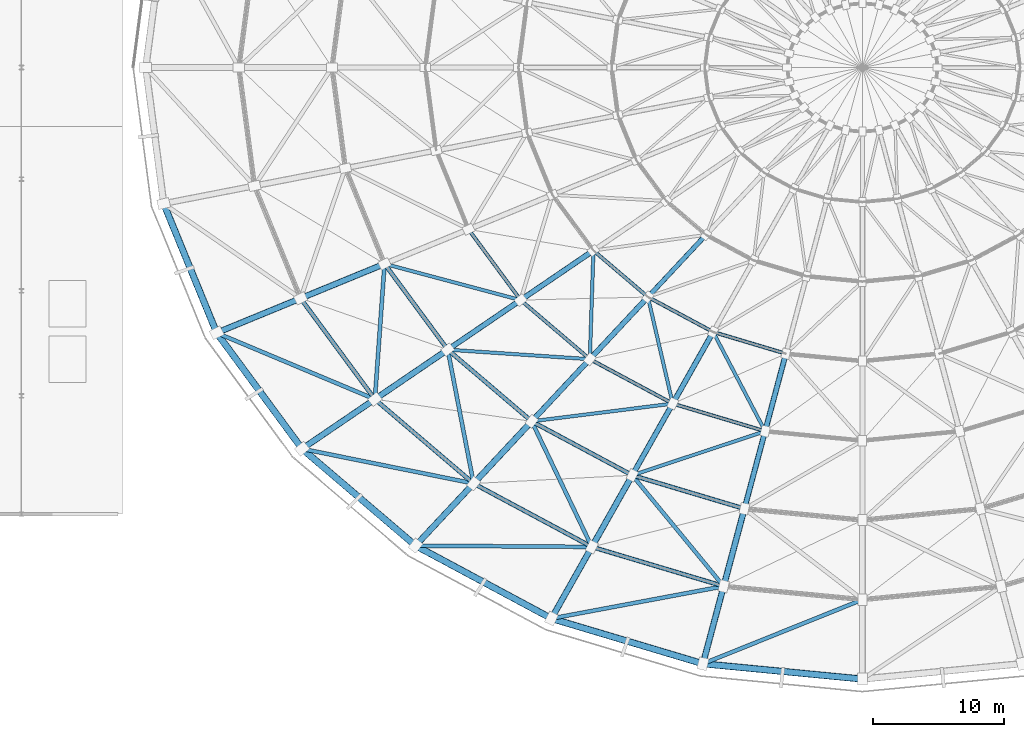
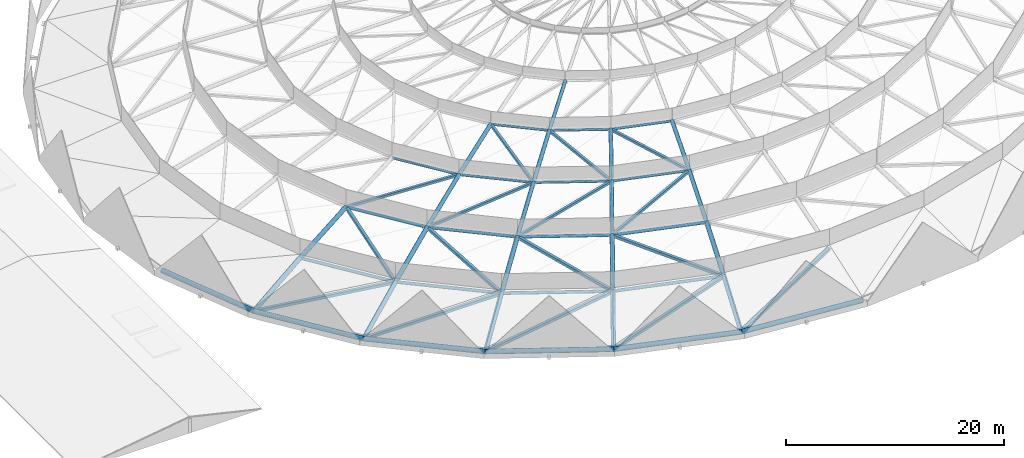
# One storey, part 5 of 27: 50 members, 6 beams.
"""IFC4 building model written with IfcOpenShell, lengths in metres."""

import ifcopenshell
import ifcopenshell.guid

model = None  # the IFC model being written
_history = None  # IfcOwnerHistory: only IFC2X3 demands one
_inside = {}  # id of a spatial element -> (the spatial element, [elements in it])
_under = {}  # id of a project, library or spatial element -> (it, [spatial elements below it])
_declared = {}  # id of a project -> (the project, [libraries it declares])
_typed = {}  # id of a type object -> (the type object, [elements of that type])
_made_of = {}  # id of a material, layer set ... -> (it, [elements and type objects made of it])


def new_model(schema):
    """Start an empty IFC model of exactly this schema.

    Asked for "IFC4X3", IfcOpenShell would pick the latest addendum, in which some entities
    have other attributes; the version numbers below select the first issue.
    IFC2X3 requires an IfcOwnerHistory on every rooted entity: one is made here for all.
    """
    global model, _history
    if schema == "IFC4X3":
        model = ifcopenshell.file(schema_version=(4, 3, 0, 0))
    else:
        model = ifcopenshell.file(schema=schema)
    _inside.clear()
    _under.clear()
    _declared.clear()
    _typed.clear()
    _made_of.clear()
    _history = None
    if model.schema == "IFC2X3":
        org = make("IfcOrganization", Name="unknown")
        user = make(
            "IfcPersonAndOrganization",
            ThePerson=make("IfcPerson", FamilyName="unknown"),
            TheOrganization=org,
        )
        app = make(
            "IfcApplication",
            ApplicationDeveloper=org,
            Version="unknown",
            ApplicationFullName="unknown",
            ApplicationIdentifier="unknown",
        )
        _history = make(
            "IfcOwnerHistory",
            OwningUser=user,
            OwningApplication=app,
            ChangeAction="ADDED",
            CreationDate=0,
        )
    return model


def make(cls, **values):
    """One entity of the class cls with the attributes given. An attribute that is None is left unset."""
    return model.create_entity(
        cls, **{name: value for name, value in values.items() if value is not None}
    )


def rooted(cls, **values):
    """An entity with a GlobalId (a new one), such as an element, a storey or a relation."""
    return make(cls, GlobalId=ifcopenshell.guid.new(), OwnerHistory=_history, **values)


def si_unit(unit_type, name, prefix=None):
    """IfcSIUnit, for example si_unit("LENGTHUNIT", "METRE", prefix="MILLI")."""
    return make("IfcSIUnit", UnitType=unit_type, Prefix=prefix, Name=name)


def assignment(units):
    """IfcUnitAssignment: the units of a project."""
    return None if units is None else make("IfcUnitAssignment", Units=units)


def point(xyz):
    """IfcCartesianPoint."""
    return None if xyz is None else make("IfcCartesianPoint", Coordinates=xyz)


def direction(xyz):
    """IfcDirection."""
    return None if xyz is None else make("IfcDirection", DirectionRatios=xyz)


def frame(location, z_axis=None, x_axis=None):
    """IfcAxis2Placement3D, a coordinate frame: its origin and axes. An axis left out is left unset."""
    return make(
        "IfcAxis2Placement3D",
        Location=point(location),
        Axis=direction(z_axis),
        RefDirection=direction(x_axis),
    )


def frame_2d(location, x_axis=None):
    """IfcAxis2Placement2D, a coordinate frame in the plane: its origin and x axis."""
    return make(
        "IfcAxis2Placement2D", Location=point(location), RefDirection=direction(x_axis)
    )


def origin():
    """The frame at (0, 0, 0) with its axes left unset."""
    return frame((0.0, 0.0, 0.0))


def origin_2d():
    """The frame at (0, 0) in the plane with its x axis left unset."""
    return frame_2d((0.0, 0.0))


def place(relative_to, where):
    """IfcLocalPlacement: puts the frame where relative to a parent placement (None: the world)."""
    return make(
        "IfcLocalPlacement", PlacementRelTo=relative_to, RelativePlacement=where
    )


def context(
    kind, dimensions, precision=None, world=None, true_north=None, identifier=None
):
    """IfcGeometricRepresentationContext, for example the 3D "Model" context."""
    return make(
        "IfcGeometricRepresentationContext",
        ContextIdentifier=identifier,
        ContextType=kind,
        CoordinateSpaceDimension=dimensions,
        Precision=precision,
        WorldCoordinateSystem=world,
        TrueNorth=true_north,
    )


def subcontext(parent, identifier, kind, view, scale=None):
    """IfcGeometricRepresentationSubContext, for example "Body" below "Model"."""
    return make(
        "IfcGeometricRepresentationSubContext",
        ContextIdentifier=identifier,
        ContextType=kind,
        ParentContext=parent,
        TargetScale=scale,
        TargetView=view,
    )


def project(units=None, contexts=None):
    """IfcProject with its units and contexts."""
    return rooted(
        "IfcProject",
        Name="project",
        RepresentationContexts=contexts,
        UnitsInContext=assignment(units),
    )


def spatial(cls, under=None, at=None, **own):
    """A site, building, storey or space (cls), placed at a placement, below another one or the project."""
    s = rooted(cls, ObjectPlacement=at, **own)
    if under is not None:
        _under.setdefault(under.id(), (under, []))[1].append(s)
    return s


def profile(cls, at=None, kind="AREA", **sizes):
    """A parametric profile (cls). Its sizes go by their IFC names, for example OverallWidth=200.0."""
    return make(cls, ProfileType=kind, Position=at, **sizes)


def hollow_rectangle(**sizes):
    """IfcRectangleHollowProfileDef."""
    return profile("IfcRectangleHollowProfileDef", **sizes)


def hollow_circle(**sizes):
    """IfcCircleHollowProfileDef."""
    return profile("IfcCircleHollowProfileDef", **sizes)


def extrude(swept, where, along, depth):
    """IfcExtrudedAreaSolid: the profile swept, set in the frame where, extruded along a direction by depth."""
    return make(
        "IfcExtrudedAreaSolid",
        SweptArea=swept,
        Position=where,
        ExtrudedDirection=direction(along),
        Depth=depth,
    )


def shape(context_of_items, identifier, shape_type, items):
    """IfcShapeRepresentation: the items that make up one representation, for example the "Body"."""
    return make(
        "IfcShapeRepresentation",
        ContextOfItems=context_of_items,
        RepresentationIdentifier=identifier,
        RepresentationType=shape_type,
        Items=items,
    )


def material(Name=None, Category=None):
    """IfcMaterial."""
    return make("IfcMaterial", Name=Name, Category=Category)


def material_profile(
    of_material, cross_section, Name=None, Category=None, Priority=None
):
    """IfcMaterialProfile: a cross section and its material."""
    return make(
        "IfcMaterialProfile",
        Name=Name,
        Material=of_material,
        Profile=cross_section,
        Priority=Priority,
        Category=Category,
    )


def profile_set(profiles, Name=None, composite=None):
    """IfcMaterialProfileSet."""
    return make(
        "IfcMaterialProfileSet",
        Name=Name,
        MaterialProfiles=profiles,
        CompositeProfile=composite,
    )


def made_of(thing, what):
    """Note that an element or type object is made of a material, layer set ...; save() writes the relation."""
    if what is not None:
        _made_of.setdefault(what.id(), (what, []))[1].append(thing)
    return thing


def type_object(cls, material=None, **own):
    """A type object (cls), such as IfcWallType, which elements share."""
    return made_of(rooted(cls, **own), material)


def element(
    cls,
    number,
    at=None,
    inside=None,
    cuts=None,
    type_object=None,
    material=None,
    context=None,
    identifier="Body",
    shape_type=None,
    held_by="IfcProductDefinitionShape",
    body=None,
    shapes=None,
    **own,
):
    """One element of the class cls, such as IfcWall. Its Tag is "e" and its number.

    at: its placement. inside: the storey or other place that contains it. cuts: it is an
    opening in that element (IfcRelVoidsElement). A single representation is given by context,
    identifier, shape_type and body (its items); several are given by shapes. held_by: the class
    of the entity that holds the representations. save() writes the other relations.
    """
    e = rooted(cls, Tag="e%d" % number, ObjectPlacement=at, **own)
    if body is not None:
        shapes = [shape(context, identifier, shape_type, body)]
    if shapes is not None:
        e.Representation = make(held_by, Representations=shapes)
    if inside is not None:
        _inside.setdefault(inside.id(), (inside, []))[1].append(e)
    if cuts is not None:
        rooted(
            "IfcRelVoidsElement", RelatingBuildingElement=cuts, RelatedOpeningElement=e
        )
    if type_object is not None:
        _typed.setdefault(type_object.id(), (type_object, []))[1].append(e)
    return made_of(e, material)


def aggregate(whole, parts):
    """IfcRelAggregates: a whole, such as a stair, and the parts it consists of."""
    return rooted("IfcRelAggregates", RelatingObject=whole, RelatedObjects=parts)


def save(model, path):
    """Write the relations noted so far, then the file.

    IfcRelAggregates (storeys below a building ...), IfcRelContainedInSpatialStructure (elements
    in a storey), IfcRelDefinesByType, IfcRelAssociatesMaterial and IfcRelDeclares: one each for
    every whole, place, type object, material and project.
    """
    for whole, parts in _under.values():
        aggregate(whole, parts)
    for where, things in _inside.values():
        rooted(
            "IfcRelContainedInSpatialStructure",
            RelatedElements=things,
            RelatingStructure=where,
        )
    for kind, things in _typed.values():
        rooted("IfcRelDefinesByType", RelatedObjects=things, RelatingType=kind)
    for what, things in _made_of.values():
        rooted("IfcRelAssociatesMaterial", RelatedObjects=things, RelatingMaterial=what)
    for by, libraries in _declared.values():
        rooted("IfcRelDeclares", RelatingContext=by, RelatedDefinitions=libraries)
    model.write(path)


model = new_model("IFC4")

# Units and contexts
model_context = context("Model", 3, precision=1e-05, world=origin(), true_north=direction((0.0, 1.0)))
body_context = subcontext(model_context, "Body", "Model", "MODEL_VIEW")
ifc_project = project(units=[si_unit("LENGTHUNIT", "METRE"), si_unit("AREAUNIT", "SQUARE_METRE"), si_unit("VOLUMEUNIT", "CUBIC_METRE"), si_unit("PLANEANGLEUNIT", "RADIAN"), si_unit("MASSUNIT", "GRAM", prefix="KILO")], contexts=[model_context])

# Site, building, storey
site_placement = place(None, origin())
site = spatial("IfcSite", under=ifc_project, at=site_placement, CompositionType="ELEMENT")
building_placement = place(site_placement, origin())
building = spatial("IfcBuilding", under=site, at=building_placement, Name="Cuetzalor Civic Arena", CompositionType="ELEMENT")
storey_placement = place(building_placement, frame((0.0, 0.0, 31.800048828125)))
storey = spatial("IfcBuildingStorey", under=building, at=storey_placement, Name="Roof", CompositionType="ELEMENT", Elevation=31.800048828125)

# Members
ifc_material_1 = material(Name="Steel S355J2H", Category="steel")
ifc_material_profile_1 = material_profile(ifc_material_1, hollow_circle(Radius=0.136474609375, WallThickness=0.010009765625, at=origin_2d()), Name="CHS 273x10")
ifc_profile_set_1 = profile_set([ifc_material_profile_1], Name="Steel S355J2H")
member_type_1 = type_object("IfcMemberType", Name="DomeAnnularChord_CHS273", PredefinedType="CHORD", material=ifc_profile_set_1)
member_1_placement = place(storey_placement, frame((-29.97900390625, -12.322021484375, 5.66650390625), z_axis=(0.592932287523, -0.805252322203, 0.0), x_axis=(0.805252322203, 0.592932287523, 0.0)))
element("IfcMember", 1, at=member_1_placement, inside=storey, type_object=member_type_1, Name="Dome Roof Truss Annular Ring Chord R3-S17", PredefinedType="CHORD", context=body_context, shape_type="SweptSolid", body=[
    extrude(hollow_circle(Radius=0.136474609375, WallThickness=0.010009765625, at=origin_2d()), origin(), (0.0, 0.0, 1.0), 6.681884765625),
])
member_2_placement = place(storey_placement, frame((-26.014404296875, -17.70556640625, 5.66650390625), z_axis=(0.760693610766, -0.649111108009, 0.0), x_axis=(0.649111108009, 0.760693610766, 0.0)))
element("IfcMember", 2, at=member_2_placement, inside=storey, type_object=member_type_1, Name="Dome Roof Truss Annular Ring Chord R3-S18", PredefinedType="CHORD", context=body_context, shape_type="SweptSolid", body=[
    extrude(hollow_circle(Radius=0.136474609375, WallThickness=0.010009765625, at=origin_2d()), origin(), (0.0, 0.0, 1.0), 6.9228515625),
])
member_3_placement = place(storey_placement, frame((-20.7451171875, -22.201416015625, 5.66650390625), z_axis=(0.881301350206, -0.472554684799, 0.0), x_axis=(0.472554684799, 0.881301350206, 0.0)))
element("IfcMember", 3, at=member_3_placement, inside=storey, type_object=member_type_1, Name="Dome Roof Truss Annular Ring Chord R3-S19", PredefinedType="CHORD", context=body_context, shape_type="SweptSolid", body=[
    extrude(hollow_circle(Radius=0.136474609375, WallThickness=0.010009765625, at=origin_2d()), origin(), (0.0, 0.0, 1.0), 7.155029296875),
])
member_4_placement = place(storey_placement, frame((-14.435791015625, -25.583984375, 5.66650390625), z_axis=(0.95818823999, -0.286138597091, 0.0), x_axis=(0.286138597091, 0.95818823999, 0.0)))
element("IfcMember", 4, at=member_4_placement, inside=storey, type_object=member_type_1, Name="Dome Roof Truss Annular Ring Chord R3-S20", PredefinedType="CHORD", context=body_context, shape_type="SweptSolid", body=[
    extrude(hollow_circle(Radius=0.136474609375, WallThickness=0.010009765625, at=origin_2d()), origin(), (0.0, 0.0, 1.0), 7.3359375),
])
member_5_placement = place(storey_placement, frame((-20.469970703125, -13.9326171875, 7.077392578125), z_axis=(0.760688120929, -0.649117541495, 0.0), x_axis=(0.649117541495, 0.760688120929, 0.0)))
element("IfcMember", 5, at=member_5_placement, inside=storey, type_object=member_type_1, Name="Dome Roof Truss Annular Ring Chord R4-S18", PredefinedType="CHORD", context=body_context, shape_type="SweptSolid", body=[
    extrude(hollow_circle(Radius=0.136474609375, WallThickness=0.010009765625, at=origin_2d()), origin(), (0.0, 0.0, 1.0), 5.446533203125),
])
member_6_placement = place(storey_placement, frame((-16.32373046875, -17.47021484375, 7.077392578125), z_axis=(0.881303896361, -0.47254993626, 0.0), x_axis=(0.47254993626, 0.881303896361, 0.0)))
element("IfcMember", 6, at=member_6_placement, inside=storey, type_object=member_type_1, Name="Dome Roof Truss Annular Ring Chord R4-S19", PredefinedType="CHORD", context=body_context, shape_type="SweptSolid", body=[
    extrude(hollow_circle(Radius=0.136474609375, WallThickness=0.010009765625, at=origin_2d()), origin(), (0.0, 0.0, 1.0), 5.62939453125),
])
member_7_placement = place(storey_placement, frame((-11.35888671875, -20.1318359375, 7.077392578125), z_axis=(0.958196861793, -0.286109723797, 0.0), x_axis=(0.286109723797, 0.958196861793, 0.0)))
element("IfcMember", 7, at=member_7_placement, inside=storey, type_object=member_type_1, Name="Dome Roof Truss Annular Ring Chord R4-S20", PredefinedType="CHORD", context=body_context, shape_type="SweptSolid", body=[
    extrude(hollow_circle(Radius=0.136474609375, WallThickness=0.010009765625, at=origin_2d()), origin(), (0.0, 0.0, 1.0), 5.771728515625),
])
ifc_material_2 = material(Name="Steel S355J2H", Category="steel")
ifc_material_profile_2 = material_profile(ifc_material_2, hollow_circle(Radius=0.161865234375, WallThickness=0.012451171875, at=origin_2d()), Name="CHS 323.9x12.5")
ifc_profile_set_2 = profile_set([ifc_material_profile_2], Name="Steel S355J2H")
member_type_2 = type_object("IfcMemberType", Name="DomeAnnularChord_CHS323", PredefinedType="CHORD", material=ifc_profile_set_2)
member_8_placement = place(storey_placement, frame((-42.75732421875, -17.5732421875, 2.11083984375), z_axis=(0.59292378617, -0.805258581943, 0.0), x_axis=(0.805258581943, 0.59292378617, 0.0)))
element("IfcMember", 8, at=member_8_placement, inside=storey, type_object=member_type_2, Name="Dome Roof Truss Annular Ring Chord R1-S17", PredefinedType="CHORD", context=body_context, shape_type="SweptSolid", body=[
    extrude(hollow_circle(Radius=0.161865234375, WallThickness=0.012451171875, at=origin_2d()), origin(), (0.0, 0.0, 1.0), 9.53173828125),
])
member_9_placement = place(storey_placement, frame((-37.10302734375, -25.251708984375, 2.11083984375), z_axis=(0.760691040158, -0.649114120493, 0.0), x_axis=(0.649114120493, 0.760691040158, 0.0)))
element("IfcMember", 9, at=member_9_placement, inside=storey, type_object=member_type_2, Name="Dome Roof Truss Annular Ring Chord R1-S18", PredefinedType="CHORD", context=body_context, shape_type="SweptSolid", body=[
    extrude(hollow_circle(Radius=0.161865234375, WallThickness=0.012451171875, at=origin_2d()), origin(), (0.0, 0.0, 1.0), 9.874755859375),
])
member_10_placement = place(storey_placement, frame((-29.588134765625, -31.663818359375, 2.11083984375), z_axis=(0.881293921097, -0.472568539619, 0.0), x_axis=(0.472568539619, 0.881293921097, 0.0)))
element("IfcMember", 10, at=member_10_placement, inside=storey, type_object=member_type_2, Name="Dome Roof Truss Annular Ring Chord R1-S19", PredefinedType="CHORD", context=body_context, shape_type="SweptSolid", body=[
    extrude(hollow_circle(Radius=0.161865234375, WallThickness=0.012451171875, at=origin_2d()), origin(), (0.0, 0.0, 1.0), 10.20654296875),
])
member_11_placement = place(storey_placement, frame((-20.589599609375, -36.488525390625, 2.11083984375), z_axis=(0.958199827791, -0.286099790319, 0.0), x_axis=(0.286099790319, 0.958199827791, 0.0)))
element("IfcMember", 11, at=member_11_placement, inside=storey, type_object=member_type_2, Name="Dome Roof Truss Annular Ring Chord R1-S20", PredefinedType="CHORD", context=body_context, shape_type="SweptSolid", body=[
    extrude(hollow_circle(Radius=0.161865234375, WallThickness=0.012451171875, at=origin_2d()), origin(), (0.0, 0.0, 1.0), 10.464599609375),
])
member_12_placement = place(storey_placement, frame((-36.3681640625, -14.947509765625, 4.004638671875), z_axis=(0.592922674984, -0.805259400125, 0.0), x_axis=(0.805259400125, 0.592922674984, 0.0)))
element("IfcMember", 12, at=member_12_placement, inside=storey, type_object=member_type_2, Name="Dome Roof Truss Annular Ring Chord R2-S17", PredefinedType="CHORD", context=body_context, shape_type="SweptSolid", body=[
    extrude(hollow_circle(Radius=0.161865234375, WallThickness=0.012451171875, at=origin_2d()), origin(), (0.0, 0.0, 1.0), 8.107177734375),
])
member_13_placement = place(storey_placement, frame((-31.55859375, -21.478759765625, 4.004638671875), z_axis=(0.760687028115, -0.649118822141, 0.0), x_axis=(0.649118822141, 0.760687028115, 0.0)))
element("IfcMember", 13, at=member_13_placement, inside=storey, type_object=member_type_2, Name="Dome Roof Truss Annular Ring Chord R2-S18", PredefinedType="CHORD", context=body_context, shape_type="SweptSolid", body=[
    extrude(hollow_circle(Radius=0.161865234375, WallThickness=0.012451171875, at=origin_2d()), origin(), (0.0, 0.0, 1.0), 8.3984375),
])
member_14_placement = place(storey_placement, frame((-25.16650390625, -26.9326171875, 4.004638671875), z_axis=(0.881287985767, -0.47257960826, 0.0), x_axis=(0.47257960826, 0.881287985767, 0.0)))
element("IfcMember", 14, at=member_14_placement, inside=storey, type_object=member_type_2, Name="Dome Roof Truss Annular Ring Chord R2-S19", PredefinedType="CHORD", context=body_context, shape_type="SweptSolid", body=[
    extrude(hollow_circle(Radius=0.161865234375, WallThickness=0.012451171875, at=origin_2d()), origin(), (0.0, 0.0, 1.0), 8.6806640625),
])
member_15_placement = place(storey_placement, frame((-17.5126953125, -31.036376953125, 4.004638671875), z_axis=(0.958199935084, -0.286099430978, 0.0), x_axis=(0.286099430978, 0.958199935084, 0.0)))
element("IfcMember", 15, at=member_15_placement, inside=storey, type_object=member_type_2, Name="Dome Roof Truss Annular Ring Chord R2-S20", PredefinedType="CHORD", context=body_context, shape_type="SweptSolid", body=[
    extrude(hollow_circle(Radius=0.161865234375, WallThickness=0.012451171875, at=origin_2d()), origin(), (0.0, 0.0, 1.0), 8.900390625),
])
ifc_material_3 = material(Name="Steel S355J2H", Category="steel")
ifc_material_profile_3 = material_profile(ifc_material_3, hollow_rectangle(XDim=0.260009765625, YDim=0.260009765625, WallThickness=0.012451171875, at=origin_2d()), Name="RHS 260x260x12.5")
ifc_profile_set_3 = profile_set([ifc_material_profile_3], Name="Steel S355J2H")
member_type_3 = type_object("IfcMemberType", Name="DomeLamellaStrut_RHS260", PredefinedType="STRUT", material=ifc_profile_set_3)
member_16_placement = place(storey_placement, frame((-36.367431640625, -14.946533203125, 4.0048828125), z_axis=(0.954877486523, -0.254390732734, 0.153278637883), x_axis=(0.257432813994, 0.966296200075, 0.0)))
element("IfcMember", 16, at=member_16_placement, inside=storey, type_object=member_type_3, Name="Dome Roof Truss Lamella Strut R3-S17", PredefinedType="STRUT", context=body_context, shape_type="SweptSolid", body=[
    extrude(hollow_rectangle(XDim=0.260009765625, YDim=0.260009765625, WallThickness=0.012451171875, at=origin_2d()), origin(), (0.0, 0.0, 1.0), 10.8388671875),
])
member_17_placement = place(storey_placement, frame((-31.55810546875, -21.4775390625, 4.0048828125), z_axis=(0.986241342427, -0.065957326142, 0.151583790745), x_axis=(0.066728412223, 0.997771175672, 0.0)))
element("IfcMember", 17, at=member_17_placement, inside=storey, type_object=member_type_3, Name="Dome Roof Truss Lamella Strut R3-S18", PredefinedType="STRUT", context=body_context, shape_type="SweptSolid", body=[
    extrude(hollow_rectangle(XDim=0.260009765625, YDim=0.260009765625, WallThickness=0.012451171875, at=origin_2d()), origin(), (0.0, 0.0, 1.0), 10.960205078125),
])
member_18_placement = place(storey_placement, frame((-25.16650390625, -26.931396484375, 4.0048828125), z_axis=(0.980688138295, 0.123208196358, 0.151889814532), x_axis=(-0.124654508731, 0.992200208352, 0.0)))
element("IfcMember", 18, at=member_18_placement, inside=storey, type_object=member_type_3, Name="Dome Roof Truss Lamella Strut R3-S19", PredefinedType="STRUT", context=body_context, shape_type="SweptSolid", body=[
    extrude(hollow_rectangle(XDim=0.260009765625, YDim=0.260009765625, WallThickness=0.012451171875, at=origin_2d()), origin(), (0.0, 0.0, 1.0), 10.93798828125),
])
member_19_placement = place(storey_placement, frame((-17.5126953125, -31.03515625, 4.0048828125), z_axis=(0.937831358435, 0.310971692859, 0.154171817711), x_axis=(-0.314734643583, 0.949179700651, 0.0)))
element("IfcMember", 19, at=member_19_placement, inside=storey, type_object=member_type_3, Name="Dome Roof Truss Lamella Strut R3-S20", PredefinedType="STRUT", context=body_context, shape_type="SweptSolid", body=[
    extrude(hollow_rectangle(XDim=0.260009765625, YDim=0.260009765625, WallThickness=0.012451171875, at=origin_2d()), origin(), (0.0, 0.0, 1.0), 10.776123046875),
])
member_20_placement = place(storey_placement, frame((-20.746826171875, -22.198486328125, 5.666748046875), z_axis=(0.03279799518, 0.985220345021, 0.168122465091), x_axis=(-0.999446347752, 0.033271578954, 0.0)))
element("IfcMember", 20, at=member_20_placement, inside=storey, type_object=member_type_3, Name="Dome Roof Truss Lamella Strut R4-S19", PredefinedType="STRUT", context=body_context, shape_type="SweptSolid", body=[
    extrude(hollow_rectangle(XDim=0.260009765625, YDim=0.260009765625, WallThickness=0.012451171875, at=origin_2d()), origin(), (0.0, 0.0, 1.0), 8.38916015625),
])
member_21_placement = place(storey_placement, frame((-14.43798828125, -25.58154296875, 5.666748046875), z_axis=(-0.223453803012, 0.960302113334, 0.166997751617), x_axis=(-0.973979437331, -0.226636395261, 0.0)))
element("IfcMember", 21, at=member_21_placement, inside=storey, type_object=member_type_3, Name="Dome Roof Truss Lamella Strut R4-S20", PredefinedType="STRUT", context=body_context, shape_type="SweptSolid", body=[
    extrude(hollow_rectangle(XDim=0.260009765625, YDim=0.260009765625, WallThickness=0.012451171875, at=origin_2d()), origin(), (0.0, 0.0, 1.0), 8.445556640625),
])
member_22_placement = place(storey_placement, frame((-7.405517578125, -27.681884765625, 5.666748046875), z_axis=(-0.457786319709, 0.873940284726, 0.163279099152), x_axis=(-0.885828170888, -0.464013417544, 0.0)))
element("IfcMember", 22, at=member_22_placement, inside=storey, type_object=member_type_3, Name="Dome Roof Truss Lamella Strut R4-S21", PredefinedType="STRUT", context=body_context, shape_type="SweptSolid", body=[
    extrude(hollow_rectangle(XDim=0.260009765625, YDim=0.260009765625, WallThickness=0.012451171875, at=origin_2d()), origin(), (0.0, 0.0, 1.0), 8.637939453125),
])
ifc_material_4 = material(Name="Steel S355J2H", Category="steel")
ifc_material_profile_4 = material_profile(ifc_material_4, hollow_rectangle(XDim=0.300048828125, YDim=0.300048828125, WallThickness=0.013916015625, at=origin_2d()), Name="RHS 300x300x14")
ifc_profile_set_4 = profile_set([ifc_material_profile_4], Name="Steel S355J2H")
member_type_4 = type_object("IfcMemberType", Name="DomeLamellaStrut_RHS300", PredefinedType="STRUT", material=ifc_profile_set_4)
member_23_placement = place(storey_placement, frame((-49.14599609375, -20.197998046875, 0.000244140625), z_axis=(0.910310138348, -0.381937079439, 0.159560394117), x_axis=(0.386893898761, 0.922124238431, 0.0)))
element("IfcMember", 23, at=member_23_placement, inside=storey, type_object=member_type_4, Name="Dome Roof Truss Lamella Strut R1-S17", PredefinedType="STRUT", context=body_context, shape_type="SweptSolid", body=[
    extrude(hollow_rectangle(XDim=0.300048828125, YDim=0.300048828125, WallThickness=0.013916015625, at=origin_2d()), origin(), (0.0, 0.0, 1.0), 13.22607421875),
])
member_24_placement = place(storey_placement, frame((-42.64697265625, -29.02392578125, 0.000244140625), z_axis=(0.968102960583, -0.195669985376, 0.156492538267), x_axis=(0.198110881625, 0.980179615469, 0.0)))
element("IfcMember", 24, at=member_24_placement, inside=storey, type_object=member_type_4, Name="Dome Roof Truss Lamella Strut R1-S18", PredefinedType="STRUT", context=body_context, shape_type="SweptSolid", body=[
    extrude(hollow_rectangle(XDim=0.300048828125, YDim=0.300048828125, WallThickness=0.013916015625, at=origin_2d()), origin(), (0.0, 0.0, 1.0), 13.4853515625),
])
member_25_placement = place(storey_placement, frame((-34.009521484375, -36.394287109375, 0.000244140625), z_axis=(0.987829755365, -0.006884895842, 0.155386526521), x_axis=(0.00696954975, 0.999975712393, 0.0)))
element("IfcMember", 25, at=member_25_placement, inside=storey, type_object=member_type_4, Name="Dome Roof Truss Lamella Strut R1-S19", PredefinedType="STRUT", context=body_context, shape_type="SweptSolid", body=[
    extrude(hollow_rectangle(XDim=0.300048828125, YDim=0.300048828125, WallThickness=0.013916015625, at=origin_2d()), origin(), (0.0, 0.0, 1.0), 13.581298828125),
])
member_26_placement = place(storey_placement, frame((-23.66650390625, -41.939697265625, 0.000244140625), z_axis=(0.970795056083, 0.181972073243, 0.156342968006), x_axis=(-0.184237675637, 0.982881721712, 0.0)))
element("IfcMember", 26, at=member_26_placement, inside=storey, type_object=member_type_4, Name="Dome Roof Truss Lamella Strut R1-S20", PredefinedType="STRUT", context=body_context, shape_type="SweptSolid", body=[
    extrude(hollow_rectangle(XDim=0.300048828125, YDim=0.300048828125, WallThickness=0.013916015625, at=origin_2d()), origin(), (0.0, 0.0, 1.0), 13.498291015625),
])
member_27_placement = place(storey_placement, frame((-12.13671875, -45.382080078125, 0.000244140625), z_axis=(0.915872216599, 0.368523173362, 0.159275715527), x_axis=(-0.37328852252, 0.927715300593, 0.0)))
element("IfcMember", 27, at=member_27_placement, inside=storey, type_object=member_type_4, Name="Dome Roof Truss Lamella Strut R1-S21", PredefinedType="STRUT", context=body_context, shape_type="SweptSolid", body=[
    extrude(hollow_rectangle(XDim=0.300048828125, YDim=0.300048828125, WallThickness=0.013916015625, at=origin_2d()), origin(), (0.0, 0.0, 1.0), 13.249755859375),
])
member_28_placement = place(storey_placement, frame((-37.1044921875, -25.248291015625, 2.111328125), z_axis=(0.070020013724, 0.981117362673, 0.180293977549), x_axis=(-0.997463018393, 0.071186564313, 0.0)))
element("IfcMember", 28, at=member_28_placement, inside=storey, type_object=member_type_4, Name="Dome Roof Truss Lamella Strut R2-S18", PredefinedType="STRUT", context=body_context, shape_type="SweptSolid", body=[
    extrude(hollow_rectangle(XDim=0.300048828125, YDim=0.300048828125, WallThickness=0.013916015625, at=origin_2d()), origin(), (0.0, 0.0, 1.0), 10.49853515625),
])
member_29_placement = place(storey_placement, frame((-29.59033203125, -31.6611328125, 2.111328125), z_axis=(-0.186823598894, 0.965845815284, 0.179551675), x_axis=(-0.9818015204, -0.189909911643, 0.0)))
element("IfcMember", 29, at=member_29_placement, inside=storey, type_object=member_type_4, Name="Dome Roof Truss Lamella Strut R2-S19", PredefinedType="STRUT", context=body_context, shape_type="SweptSolid", body=[
    extrude(hollow_rectangle(XDim=0.300048828125, YDim=0.300048828125, WallThickness=0.013916015625, at=origin_2d()), origin(), (0.0, 0.0, 1.0), 10.5419921875),
])
member_30_placement = place(storey_placement, frame((-20.59228515625, -36.486083984375, 2.111328125), z_axis=(-0.425226690793, 0.887825225756, 0.175922226986), x_axis=(-0.901891056913, -0.431963564969, 0.0)))
element("IfcMember", 30, at=member_30_placement, inside=storey, type_object=member_type_4, Name="Dome Roof Truss Lamella Strut R2-S20", PredefinedType="STRUT", context=body_context, shape_type="SweptSolid", body=[
    extrude(hollow_rectangle(XDim=0.300048828125, YDim=0.300048828125, WallThickness=0.013916015625, at=origin_2d()), origin(), (0.0, 0.0, 1.0), 10.759521484375),
])
member_31_placement = place(storey_placement, frame((-10.561767578125, -39.481689453125, 2.111328125), z_axis=(-0.626236369172, 0.760751932472, 0.170541804747), x_axis=(-0.772062304259, -0.635546849841, 0.0)))
element("IfcMember", 31, at=member_31_placement, inside=storey, type_object=member_type_4, Name="Dome Roof Truss Lamella Strut R2-S21", PredefinedType="STRUT", context=body_context, shape_type="SweptSolid", body=[
    extrude(hollow_rectangle(XDim=0.300048828125, YDim=0.300048828125, WallThickness=0.013916015625, at=origin_2d()), origin(), (0.0, 0.0, 1.0), 11.100341796875),
])
ifc_material_5 = material(Name="Steel S355J2H", Category="steel")
ifc_material_profile_5 = material_profile(ifc_material_5, hollow_circle(Radius=0.177734375, WallThickness=0.01416015625, at=origin_2d()), Name="CHS 355.6x14.2")
ifc_profile_set_5 = profile_set([ifc_material_profile_5], Name="Steel S355J2H")
member_type_5 = type_object("IfcMemberType", Name="DomeRadialChord_CHS355", PredefinedType="CHORD", material=ifc_profile_set_5)
member_32_placement = place(storey_placement, frame((-16.32421875, -17.4677734375, 7.07763671875), z_axis=(0.672587505085, 0.719668630441, 0.172345903237), x_axis=(-0.730600984463, 0.682804658377, 0.0)))
element("IfcMember", 32, at=member_32_placement, inside=storey, type_object=member_type_5, Name="Dome Roof Truss Radial Chord R5-S19", PredefinedType="CHORD", context=body_context, shape_type="SweptSolid", body=[
    extrude(hollow_circle(Radius=0.177734375, WallThickness=0.01416015625, at=origin_2d()), origin(), (0.0, 0.0, 1.0), 6.570068359375),
])
ifc_material_6 = material(Name="Steel S355J2H", Category="steel")
ifc_material_profile_6 = material_profile(ifc_material_6, hollow_circle(Radius=0.202880859375, WallThickness=0.01611328125, at=origin_2d()), Name="CHS 406x16")
ifc_profile_set_6 = profile_set([ifc_material_profile_6], Name="Steel S355J2H")
member_type_6 = type_object("IfcMemberType", Name="DomeRadialChord_CHS406", PredefinedType="CHORD", material=ifc_profile_set_6)
member_33_placement = place(storey_placement, frame((-31.55859375, -21.476318359375, 4.005126953125), z_axis=(0.802453342906, 0.546093947858, 0.240520337128), x_axis=(-0.562609867277, 0.826722527359, 0.0)))
element("IfcMember", 33, at=member_33_placement, inside=storey, type_object=member_type_6, Name="Dome Roof Truss Radial Chord R3-S18", PredefinedType="CHORD", context=body_context, shape_type="SweptSolid", body=[
    extrude(hollow_circle(Radius=0.202880859375, WallThickness=0.01611328125, at=origin_2d()), origin(), (0.0, 0.0, 1.0), 6.905517578125),
])
member_34_placement = place(storey_placement, frame((-25.1669921875, -26.930419921875, 4.005126953125), z_axis=(0.661334530515, 0.707703585116, 0.248580518873), x_axis=(-0.730637390049, 0.682765702318, 0.0)))
element("IfcMember", 34, at=member_34_placement, inside=storey, type_object=member_type_6, Name="Dome Roof Truss Radial Chord R3-S19", PredefinedType="CHORD", context=body_context, shape_type="SweptSolid", body=[
    extrude(hollow_circle(Radius=0.202880859375, WallThickness=0.01611328125, at=origin_2d()), origin(), (0.0, 0.0, 1.0), 6.681396484375),
])
member_35_placement = place(storey_placement, frame((-17.513671875, -31.033935546875, 4.005126953125), z_axis=(0.475026733206, 0.841734547971, 0.256578552283), x_axis=(-0.870888965852, 0.491479815615, 0.0)))
element("IfcMember", 35, at=member_35_placement, inside=storey, type_object=member_type_6, Name="Dome Roof Truss Radial Chord R3-S20", PredefinedType="CHORD", context=body_context, shape_type="SweptSolid", body=[
    extrude(hollow_circle(Radius=0.202880859375, WallThickness=0.01611328125, at=origin_2d()), origin(), (0.0, 0.0, 1.0), 6.47314453125),
])
member_36_placement = place(storey_placement, frame((-8.98193359375, -33.581298828125, 4.005126953125), z_axis=(0.249314663457, 0.932141168575, 0.262592917712), x_axis=(-0.966042788004, 0.258382142852, 0.0)))
element("IfcMember", 36, at=member_36_placement, inside=storey, type_object=member_type_6, Name="Dome Roof Truss Radial Chord R3-S21", PredefinedType="CHORD", context=body_context, shape_type="SweptSolid", body=[
    extrude(hollow_circle(Radius=0.202880859375, WallThickness=0.01611328125, at=origin_2d()), origin(), (0.0, 0.0, 1.0), 6.324951171875),
])
member_37_placement = place(storey_placement, frame((-26.01416015625, -17.703125, 5.666748046875), z_axis=(0.809015458143, 0.550548279477, 0.205889728861), x_axis=(-0.562601913678, 0.826727939969, 0.0)))
element("IfcMember", 37, at=member_37_placement, inside=storey, type_object=member_type_6, Name="Dome Roof Truss Radial Chord R4-S18", PredefinedType="CHORD", context=body_context, shape_type="SweptSolid", body=[
    extrude(hollow_circle(Radius=0.202880859375, WallThickness=0.01611328125, at=origin_2d()), origin(), (0.0, 0.0, 1.0), 6.84912109375),
])
member_38_placement = place(storey_placement, frame((-20.74560546875, -22.19921875, 5.666748046875), z_axis=(0.667112883758, 0.713887083961, 0.212898172086), x_axis=(-0.730637390049, 0.682765702318, 0.0)))
element("IfcMember", 38, at=member_38_placement, inside=storey, type_object=member_type_6, Name="Dome Roof Truss Radial Chord R4-S19", PredefinedType="CHORD", context=body_context, shape_type="SweptSolid", body=[
    extrude(hollow_circle(Radius=0.202880859375, WallThickness=0.01611328125, at=origin_2d()), origin(), (0.0, 0.0, 1.0), 6.62353515625),
])
member_39_placement = place(storey_placement, frame((-14.436767578125, -25.581787109375, 5.666748046875), z_axis=(0.479436916899, 0.849587340077, 0.219867219691), x_axis=(-0.870898391186, 0.491463113804, 0.0)))
element("IfcMember", 39, at=member_39_placement, inside=storey, type_object=member_type_6, Name="Dome Roof Truss Radial Chord R4-S20", PredefinedType="CHORD", context=body_context, shape_type="SweptSolid", body=[
    extrude(hollow_circle(Radius=0.202880859375, WallThickness=0.01611328125, at=origin_2d()), origin(), (0.0, 0.0, 1.0), 6.41357421875),
])
member_40_placement = place(storey_placement, frame((-7.404052734375, -27.681640625, 5.6669921875), z_axis=(0.251778726103, 0.941247095263, 0.225080827128), x_axis=(-0.966035473474, 0.258409488971, 0.0)))
element("IfcMember", 40, at=member_40_placement, inside=storey, type_object=member_type_6, Name="Dome Roof Truss Radial Chord R4-S21", PredefinedType="CHORD", context=body_context, shape_type="SweptSolid", body=[
    extrude(hollow_circle(Radius=0.202880859375, WallThickness=0.01611328125, at=origin_2d()), origin(), (0.0, 0.0, 1.0), 6.263916015625),
])
ifc_material_7 = material(Name="Steel S355J2H", Category="steel")
ifc_material_profile_7 = material_profile(ifc_material_7, hollow_circle(Radius=0.228515625, WallThickness=0.01611328125, at=origin_2d()), Name="CHS 457x16")
ifc_profile_set_7 = profile_set([ifc_material_profile_7], Name="Steel S355J2H")
member_type_7 = type_object("IfcMemberType", Name="DomeRadialChord_CHS457", PredefinedType="CHORD", material=ifc_profile_set_7)
member_41_placement = place(storey_placement, frame((-49.14599609375, -20.196533203125, 0.00048828125), z_axis=(0.884549624943, 0.363526053088, 0.292268318056), x_axis=(-0.38012363529, 0.924935685274, 0.0)))
element("IfcMember", 41, at=member_41_placement, inside=storey, type_object=member_type_7, Name="Dome Roof Truss Radial Chord R1-S17", PredefinedType="CHORD", context=body_context, shape_type="SweptSolid", body=[
    extrude(hollow_circle(Radius=0.228515625, WallThickness=0.01611328125, at=origin_2d()), origin(), (0.0, 0.0, 1.0), 7.218994140625),
])
member_42_placement = place(storey_placement, frame((-42.647216796875, -29.0224609375, 0.00048828125), z_axis=(0.788563642301, 0.536665228189, 0.300262909621), x_axis=(-0.562626809425, 0.826710997457, 0.0)))
element("IfcMember", 42, at=member_42_placement, inside=storey, type_object=member_type_7, Name="Dome Roof Truss Radial Chord R1-S18", PredefinedType="CHORD", context=body_context, shape_type="SweptSolid", body=[
    extrude(hollow_circle(Radius=0.228515625, WallThickness=0.01611328125, at=origin_2d()), origin(), (0.0, 0.0, 1.0), 7.026611328125),
])
member_43_placement = place(storey_placement, frame((-34.010009765625, -36.392822265625, 0.00048828125), z_axis=(0.649140383571, 0.694654453229, 0.309954759645), x_axis=(-0.730637390049, 0.682765702318, 0.0)))
element("IfcMember", 43, at=member_43_placement, inside=storey, type_object=member_type_7, Name="Dome Roof Truss Radial Chord R1-S19", PredefinedType="CHORD", context=body_context, shape_type="SweptSolid", body=[
    extrude(hollow_circle(Radius=0.228515625, WallThickness=0.01611328125, at=origin_2d()), origin(), (0.0, 0.0, 1.0), 6.806884765625),
])
member_44_placement = place(storey_placement, frame((-23.66748046875, -41.9384765625, 0.00048828125), z_axis=(0.465726644765, 0.825226499247, 0.319530776759), x_axis=(-0.870881689669, 0.491492708592, 0.0)))
element("IfcMember", 44, at=member_44_placement, inside=storey, type_object=member_type_7, Name="Dome Roof Truss Radial Chord R1-S20", PredefinedType="CHORD", context=body_context, shape_type="SweptSolid", body=[
    extrude(hollow_circle(Radius=0.228515625, WallThickness=0.01611328125, at=origin_2d()), origin(), (0.0, 0.0, 1.0), 6.60302734375),
])
member_45_placement = place(storey_placement, frame((-12.137939453125, -45.381103515625, 0.000732421875), z_axis=(0.244187197443, 0.913046138016, 0.326679296037), x_axis=(-0.96604812875, 0.258362173972, 0.0)))
element("IfcMember", 45, at=member_45_placement, inside=storey, type_object=member_type_7, Name="Dome Roof Truss Radial Chord R1-S21", PredefinedType="CHORD", context=body_context, shape_type="SweptSolid", body=[
    extrude(hollow_circle(Radius=0.228515625, WallThickness=0.01611328125, at=origin_2d()), origin(), (0.0, 0.0, 1.0), 6.457763671875),
])
member_46_placement = place(storey_placement, frame((-42.7568359375, -17.57080078125, 2.111572265625), z_axis=(0.892042204151, 0.366557180387, 0.264379536878), x_axis=(-0.380080948416, 0.924953227277, 0.0)))
element("IfcMember", 46, at=member_46_placement, inside=storey, type_object=member_type_7, Name="Dome Roof Truss Radial Chord R2-S17", PredefinedType="CHORD", context=body_context, shape_type="SweptSolid", body=[
    extrude(hollow_circle(Radius=0.228515625, WallThickness=0.01611328125, at=origin_2d()), origin(), (0.0, 0.0, 1.0), 7.158447265625),
])
member_47_placement = place(storey_placement, frame((-37.102783203125, -25.249267578125, 2.111572265625), z_axis=(0.795616601594, 0.541430137981, 0.271749202307), x_axis=(-0.562601913678, 0.826727939969, 0.0)))
element("IfcMember", 47, at=member_47_placement, inside=storey, type_object=member_type_7, Name="Dome Roof Truss Radial Chord R2-S18", PredefinedType="CHORD", context=body_context, shape_type="SweptSolid", body=[
    extrude(hollow_circle(Radius=0.228515625, WallThickness=0.01611328125, at=origin_2d()), origin(), (0.0, 0.0, 1.0), 6.96435546875),
])
member_48_placement = place(storey_placement, frame((-29.588623046875, -31.66162109375, 2.111572265625), z_axis=(0.655340043808, 0.701250053507, 0.280673813238), x_axis=(-0.730618571509, 0.682785839752, 0.0)))
element("IfcMember", 48, at=member_48_placement, inside=storey, type_object=member_type_7, Name="Dome Roof Truss Radial Chord R2-S19", PredefinedType="CHORD", context=body_context, shape_type="SweptSolid", body=[
    extrude(hollow_circle(Radius=0.228515625, WallThickness=0.01611328125, at=origin_2d()), origin(), (0.0, 0.0, 1.0), 6.742919921875),
])
member_49_placement = place(storey_placement, frame((-20.590576171875, -36.486083984375, 2.111572265625), z_axis=(0.47045681721, 0.833570597531, 0.289534871945), x_axis=(-0.870872263381, 0.491509410769, 0.0)))
element("IfcMember", 49, at=member_49_placement, inside=storey, type_object=member_type_7, Name="Dome Roof Truss Radial Chord R2-S20", PredefinedType="CHORD", context=body_context, shape_type="SweptSolid", body=[
    extrude(hollow_circle(Radius=0.228515625, WallThickness=0.01611328125, at=origin_2d()), origin(), (0.0, 0.0, 1.0), 6.53662109375),
])
member_50_placement = place(storey_placement, frame((-10.56005859375, -39.481201171875, 2.111572265625), z_axis=(0.246815336475, 0.922692008647, 0.29617840377), x_axis=(-0.966035473474, 0.258409488971, 0.0)))
element("IfcMember", 50, at=member_50_placement, inside=storey, type_object=member_type_7, Name="Dome Roof Truss Radial Chord R2-S21", PredefinedType="CHORD", context=body_context, shape_type="SweptSolid", body=[
    extrude(hollow_circle(Radius=0.228515625, WallThickness=0.01611328125, at=origin_2d()), origin(), (0.0, 0.0, 1.0), 6.389892578125),
])

# Beams
ifc_material_8 = material(Name="Steel S355J2H", Category="steel")
ifc_material_profile_8 = material_profile(ifc_material_8, hollow_circle(Radius=0.25390625, WallThickness=0.02001953125, at=origin_2d()), Name="CHS 508x20")
ifc_profile_set_8 = profile_set([ifc_material_profile_8], Name="Steel S355J2H")
beam_type = type_object("IfcBeamType", Name="SteelDomeRingBeam_CHS508", PredefinedType="BEAM", material=ifc_profile_set_8)
beam_1_placement = place(storey_placement, frame((-53.181396484375, -10.360107421875, 0.0), z_axis=(0.379375892559, -0.925242634202, 0.0), x_axis=(0.925242634202, 0.379375892559, 0.0)))
element("IfcBeam", 51, at=beam_1_placement, inside=storey, type_object=beam_type, Name="Arena Dome Perimeter Tension Ring Beam S16", PredefinedType="BEAM", context=body_context, shape_type="SweptSolid", body=[
    extrude(hollow_circle(Radius=0.25390625, WallThickness=0.02001953125, at=origin_2d()), origin(), (0.0, 0.0, 1.0), 10.6298828125),
])
beam_2_placement = place(storey_placement, frame((-49.146728515625, -20.198974609375, 0.0), z_axis=(0.592928418249, -0.805255171255, 0.0), x_axis=(0.805255171255, 0.592928418249, 0.0)))
element("IfcBeam", 52, at=beam_2_placement, inside=storey, type_object=beam_type, Name="Arena Dome Perimeter Tension Ring Beam S17", PredefinedType="BEAM", context=body_context, shape_type="SweptSolid", body=[
    extrude(hollow_circle(Radius=0.25390625, WallThickness=0.02001953125, at=origin_2d()), origin(), (0.0, 0.0, 1.0), 10.956787109375),
])
beam_3_placement = place(storey_placement, frame((-42.6474609375, -29.02490234375, 0.0), z_axis=(0.760684946097, -0.649121262001, 0.0), x_axis=(0.649121262001, 0.760684946097, 0.0)))
element("IfcBeam", 53, at=beam_3_placement, inside=storey, type_object=beam_type, Name="Arena Dome Perimeter Tension Ring Beam S18", PredefinedType="BEAM", context=body_context, shape_type="SweptSolid", body=[
    extrude(hollow_circle(Radius=0.25390625, WallThickness=0.02001953125, at=origin_2d()), origin(), (0.0, 0.0, 1.0), 11.35107421875),
])
beam_4_placement = place(storey_placement, frame((-34.009521484375, -36.395263671875, 0.0), z_axis=(0.881302332023, -0.472552853733, 0.0), x_axis=(0.472552853733, 0.881302332023, 0.0)))
element("IfcBeam", 54, at=beam_4_placement, inside=storey, type_object=beam_type, Name="Arena Dome Perimeter Tension Ring Beam S19", PredefinedType="BEAM", context=body_context, shape_type="SweptSolid", body=[
    extrude(hollow_circle(Radius=0.25390625, WallThickness=0.02001953125, at=origin_2d()), origin(), (0.0, 0.0, 1.0), 11.73193359375),
])
beam_5_placement = place(storey_placement, frame((-23.66650390625, -41.940673828125, 0.0), z_axis=(0.958195845635, -0.286113126939, 0.0), x_axis=(0.286113126939, 0.958195845635, 0.0)))
element("IfcBeam", 55, at=beam_5_placement, inside=storey, type_object=beam_type, Name="Arena Dome Perimeter Tension Ring Beam S20", PredefinedType="BEAM", context=body_context, shape_type="SweptSolid", body=[
    extrude(hollow_circle(Radius=0.25390625, WallThickness=0.02001953125, at=origin_2d()), origin(), (0.0, 0.0, 1.0), 12.029052734375),
])
beam_6_placement = place(storey_placement, frame((-12.136474609375, -45.383056640625, 0.0), z_axis=(0.995409285949, -0.095709735379, 0.0), x_axis=(0.095709735379, 0.995409285949, 0.0)))
element("IfcBeam", 56, at=beam_6_placement, inside=storey, type_object=beam_type, Name="Arena Dome Perimeter Tension Ring Beam S21", PredefinedType="BEAM", context=body_context, shape_type="SweptSolid", body=[
    extrude(hollow_circle(Radius=0.25390625, WallThickness=0.02001953125, at=origin_2d()), origin(), (0.0, 0.0, 1.0), 12.1904296875),
])

save(model, "model.ifc")
